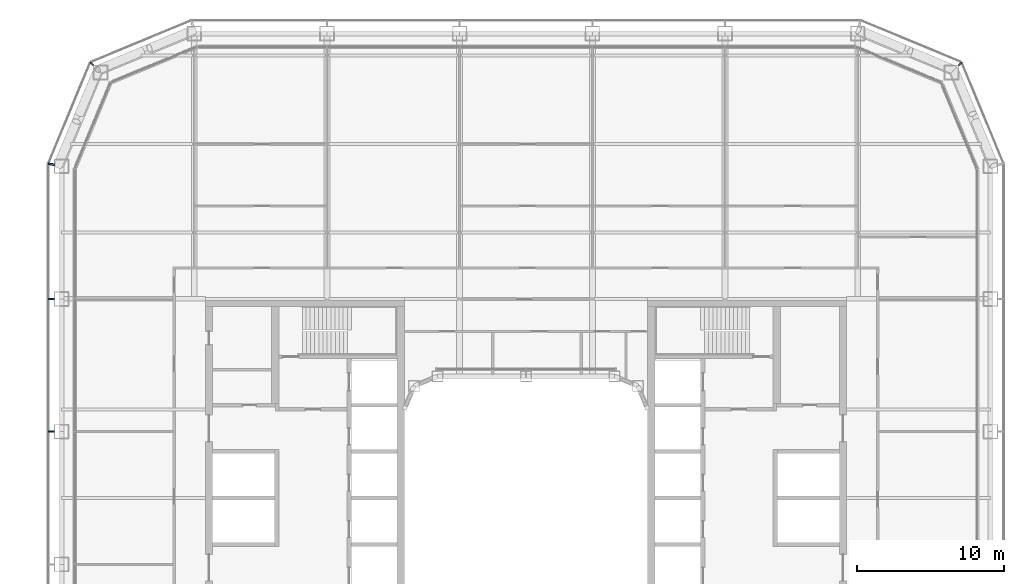
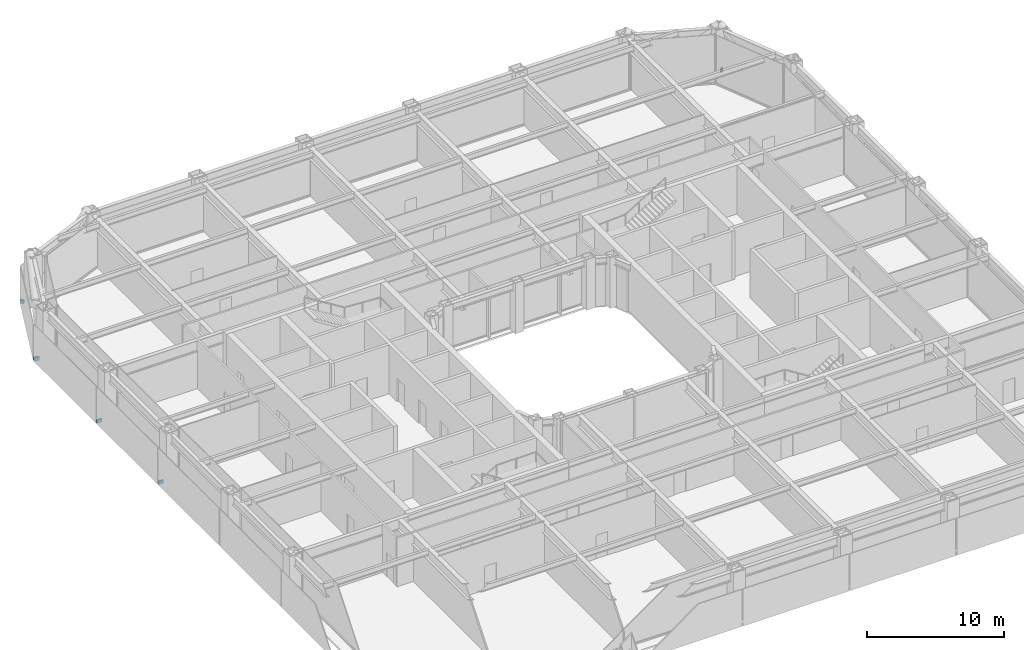
# One storey, part 20 of 27: 5 discrete accessories.
"""IFC4 building model written with IfcOpenShell, lengths in metres."""

from ifc_helpers import new_model, si_unit, direction, frame, origin, origin_2d, place, context, subcontext, project, spatial, rectangle, extrude, material, type_object, element, save


model = new_model("IFC4")

# Units and contexts
model_context = context("Model", 3, precision=1e-05, world=origin(), true_north=direction((0.0, 1.0)))
body_context = subcontext(model_context, "Body", "Model", "MODEL_VIEW")
ifc_project = project(units=[si_unit("LENGTHUNIT", "METRE"), si_unit("AREAUNIT", "SQUARE_METRE"), si_unit("VOLUMEUNIT", "CUBIC_METRE"), si_unit("PLANEANGLEUNIT", "RADIAN"), si_unit("MASSUNIT", "GRAM", prefix="KILO")], contexts=[model_context])

# Site, building, storey
site_placement = place(None, origin())
site = spatial("IfcSite", under=ifc_project, at=site_placement, CompositionType="ELEMENT")
building_placement = place(site_placement, origin())
building = spatial("IfcBuilding", under=site, at=building_placement, Name="Siwar Civic Tower", CompositionType="ELEMENT")
storey_placement = place(building_placement, frame((0.0, 0.0, 53.699951171875)))
storey = spatial("IfcBuildingStorey", under=building, at=storey_placement, Name="L11", CompositionType="ELEMENT", Elevation=53.699951171875)

# Discrete accessories
ifc_material = material(Name="Stainless steel 316", Category="steel")
discrete_accessory_type = type_object("IfcDiscreteAccessoryType", Name="ENV-BRACKET", PredefinedType="BRACKET", material=ifc_material)
for number, where, z_axis, x_axis, name in (
    (1, (29.451416015625, 29.451416015625, -0.14990234375), (0.0, 0.0, 1.0), (0.707106781187, 0.707106781187, 0.0), "Bracket outer skin joint V05"),
    (2, (-29.451416015625, 29.451416015625, -0.14990234375), (0.0, 0.0, 1.0), (-0.707106781187, 0.707106781187, 0.0), "Bracket outer skin joint V08"),
):
    element("IfcDiscreteAccessory", number, at=place(storey_placement, frame(where, z_axis=z_axis, x_axis=x_axis)), inside=storey, type_object=discrete_accessory_type, Name=name, PredefinedType="BRACKET", context=body_context, shape_type="SweptSolid", body=[
        extrude(rectangle(XDim=0.287109375, YDim=0.12939453125, at=origin_2d()), origin(), (0.0, 0.0, 1.0), 0.300048828125),
    ])
discrete_accessory_placement = place(storey_placement, frame((-32.190185546875, 22.63720703125, -0.14990234375), z_axis=(0.0, 0.0, 1.0), x_axis=(-0.980785280403, 0.195090322016, 0.0)))
element("IfcDiscreteAccessory", 3, at=discrete_accessory_placement, inside=storey, type_object=discrete_accessory_type, Name="Bracket outer skin joint V09", PredefinedType="BRACKET", context=body_context, shape_type="SweptSolid", body=[
    extrude(rectangle(XDim=0.427734375, YDim=0.13720703125, at=origin_2d()), origin(), (0.0, 0.0, 1.0), 0.300048828125),
])
for number, where, z_axis, x_axis, name in (
    (4, (-32.18994140625, 13.5, -0.14990234375), (0.0, 0.0, 1.0), (-1.0, 0.0, 0.0), "Bracket outer skin joint W-01"),
    (5, (-32.18994140625, 4.5, -0.14990234375), (0.0, 0.0, 1.0), (-1.0, 0.0, 0.0), "Bracket outer skin joint W-02"),
):
    element("IfcDiscreteAccessory", number, at=place(storey_placement, frame(where, z_axis=z_axis, x_axis=x_axis)), inside=storey, type_object=discrete_accessory_type, Name=name, PredefinedType="BRACKET", context=body_context, shape_type="SweptSolid", body=[
        extrude(rectangle(XDim=0.419921875, YDim=0.10009765625, at=origin_2d()), origin(), (0.0, 0.0, 1.0), 0.300048828125),
    ])

save(model, "model.ifc")
